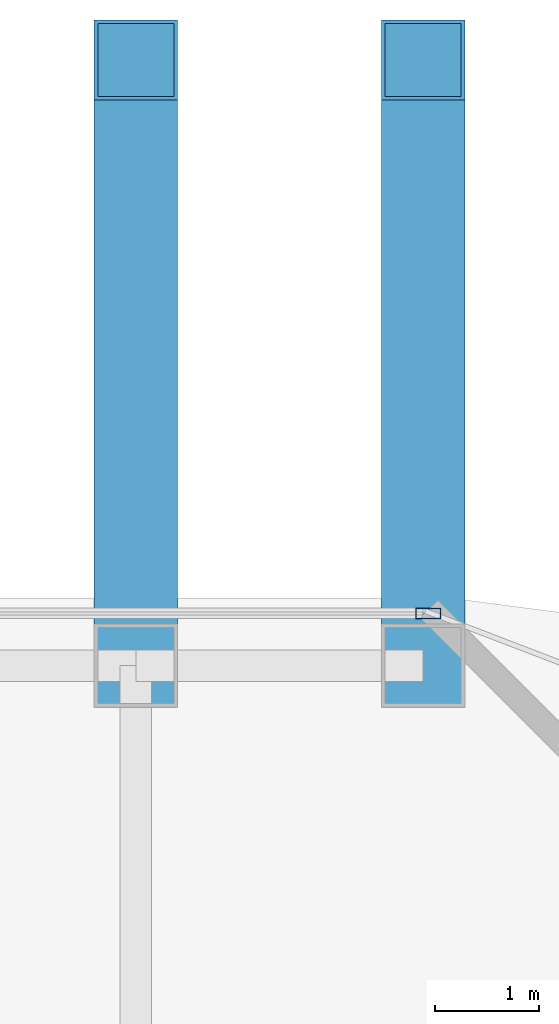
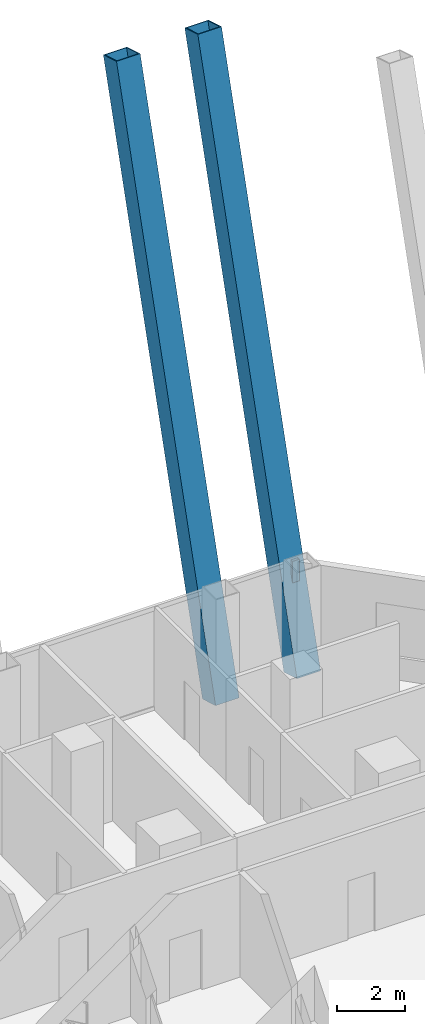
# One storey, part 21 of 33: 3 members, 1 element without a shape of its own.
"""IFC4 building model written with IfcOpenShell, lengths in metres."""

from ifc_helpers import new_model, si_unit, direction, frame, origin, origin_2d, place, context, subcontext, project, spatial, hollow_rectangle, extrude, material, layer, layer_set, material_profile, profile_set, type_object, element, aggregate, save


model = new_model("IFC4")

# Units and contexts
model_context = context("Model", 3, precision=1e-05, world=origin(), true_north=direction((0.0, 1.0)))
body_context = subcontext(model_context, "Body", "Model", "MODEL_VIEW")
ifc_project = project(units=[si_unit("LENGTHUNIT", "METRE"), si_unit("AREAUNIT", "SQUARE_METRE"), si_unit("VOLUMEUNIT", "CUBIC_METRE"), si_unit("PLANEANGLEUNIT", "RADIAN"), si_unit("MASSUNIT", "GRAM", prefix="KILO")], contexts=[model_context])

# Site, building, storey
site_placement = place(None, origin())
site = spatial("IfcSite", under=ifc_project, at=site_placement, CompositionType="ELEMENT")
building_placement = place(site_placement, origin())
building = spatial("IfcBuilding", under=site, at=building_placement, Name="Khorvyn Point Tower", CompositionType="ELEMENT")
storey_placement = place(building_placement, frame((0.0, 0.0, 65.699951171875)))
storey = spatial("IfcBuildingStorey", under=building, at=storey_placement, Name="L17", CompositionType="ELEMENT", Elevation=65.699951171875)

# Curtain wall, member
ifc_material_1 = material(Name="Anodised aluminium 6063-T6 and laminated Low-E glass", Category="aluminium")
ifc_layer = layer(ifc_material_1, 0.18994140625)
ifc_layer_set = layer_set([ifc_layer], Name="Stick-Built Finned Residential Curtain Wall CW-SYS-02")
curtain_wall_type = type_object("IfcCurtainWallType", Name="Stick-Built Finned Residential Curtain Wall CW-SYS-02", PredefinedType="NOTDEFINED", material=ifc_layer_set)
curtain_wall_placement = place(storey_placement, origin())
curtain_wall = element("IfcCurtainWall", 1, at=curtain_wall_placement, inside=storey, type_object=curtain_wall_type, Name="Curtain Wall", PredefinedType="NOTDEFINED")
ifc_material_2 = material(Name="Anodised aluminium 6063-T6", Category="aluminium")
ifc_material_profile_1 = material_profile(ifc_material_2, hollow_rectangle(XDim=0.10009765625, YDim=0.239990234375, WallThickness=0.0048828125, at=origin_2d()))
ifc_profile_set_1 = profile_set([ifc_material_profile_1], Name="Anodised aluminium 6063-T6 ALU-MUL-100x240")
member_type_1 = type_object("IfcMemberType", Name="Anodised Aluminium 6063-T6 Mullion ALU-MUL-100x240", PredefinedType="MULLION", material=ifc_profile_set_1)
member_placement = place(storey_placement, frame((17.60009765625, 25.050048828125, 0.0), z_axis=(0.0, 0.0, 1.0), x_axis=(0.0, 1.0, 0.0)))
member = element("IfcMember", 2, at=member_placement, type_object=member_type_1, Name="Transom", PredefinedType="MULLION", context=body_context, shape_type="SweptSolid", body=[
    extrude(hollow_rectangle(XDim=0.10009765625, YDim=0.239990234375, WallThickness=0.0048828125, at=origin_2d()), origin(), (0.0, 0.0, 1.0), 3.679931640625),
])
aggregate(curtain_wall, [member])

# Members
ifc_material_3 = material(Name="Steel S450", Category="steel")
ifc_material_profile_2 = material_profile(ifc_material_3, hollow_rectangle(XDim=0.800048828125, YDim=0.800048828125, WallThickness=0.035888671875, at=origin_2d()))
ifc_profile_set_2 = profile_set([ifc_material_profile_2], Name="Steel S450 BOX800x800x36")
member_type_2 = type_object("IfcMemberType", Name="Steel S450 Exoskeleton Structural Post BOX800x800x36", PredefinedType="POST", material=ifc_profile_set_2)
for number, where, z_axis, x_axis, name in (
    (3, (17.550048828125, 24.550048828125, 0.0), (0.0, 0.285094530681, 0.958499404578), (-1.0, 0.0, 0.0), "L17 to L21 Exoskeleton Transfer Post 04"),
    (4, (14.800048828125, 24.550048828125, 0.0), (0.0, 0.285094530681, 0.958499404578), (-1.0, 0.0, 0.0), "L17 to L21 Exoskeleton Transfer Post 10"),
):
    element("IfcMember", number, at=place(storey_placement, frame(where, z_axis=z_axis, x_axis=x_axis)), inside=storey, type_object=member_type_2, Name=name, PredefinedType="POST", context=body_context, shape_type="SweptSolid", body=[
        extrude(hollow_rectangle(XDim=0.800048828125, YDim=0.800048828125, WallThickness=0.035888671875, at=origin_2d()), origin(), (0.0, 0.0, 1.0), 20.34423828125),
    ])

save(model, "model.ifc")
